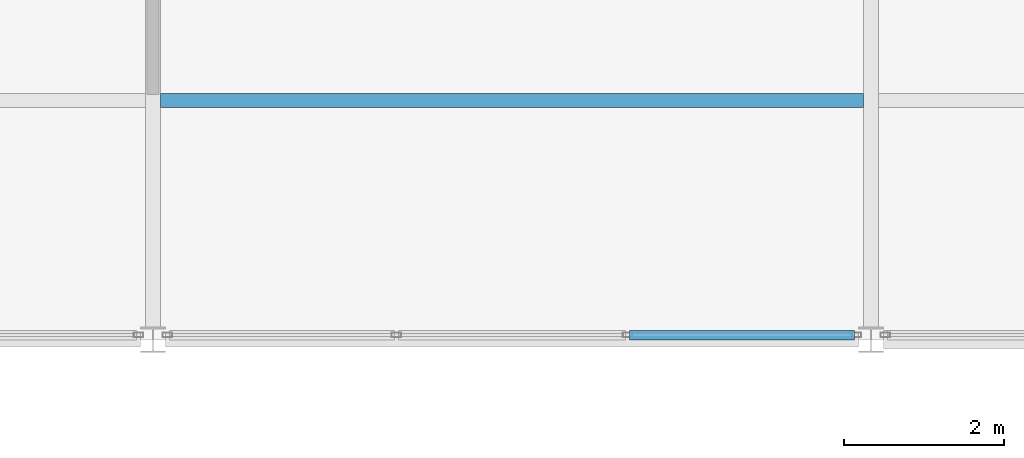
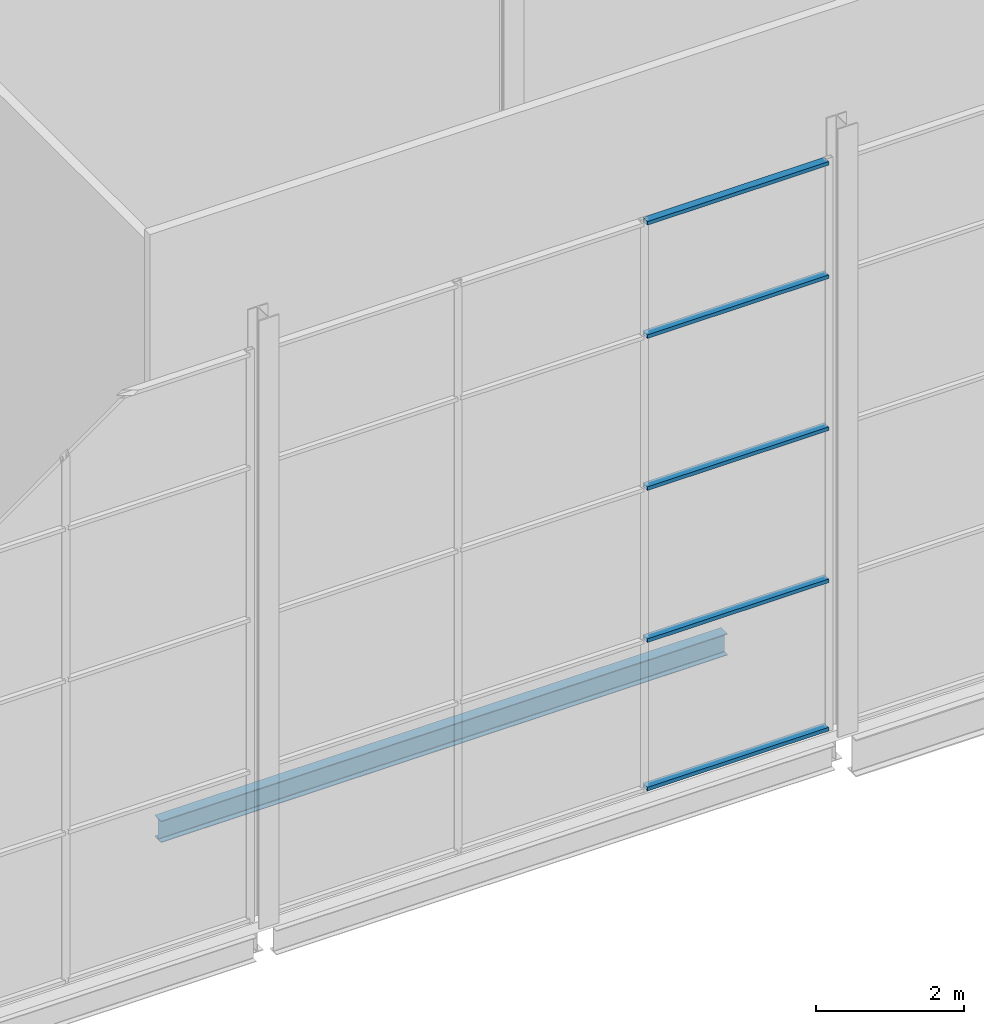
# One storey, part 45 of 111: 5 members, 1 beam, 1 element without a shape of its own.
"""IFC4 building model written with IfcOpenShell, lengths in metres."""

from ifc_helpers import new_model, si_unit, direction, frame, origin, origin_2d, place, context, subcontext, project, spatial, hollow_rectangle, i_section, extrude, material, layer, layer_set, material_profile, profile_set, type_object, element, aggregate, save


model = new_model("IFC4")

# Units and contexts
model_context = context("Model", 3, precision=1e-05, world=origin(), true_north=direction((0.0, 1.0)))
body_context = subcontext(model_context, "Body", "Model", "MODEL_VIEW")
ifc_project = project(units=[si_unit("LENGTHUNIT", "METRE"), si_unit("AREAUNIT", "SQUARE_METRE"), si_unit("VOLUMEUNIT", "CUBIC_METRE"), si_unit("PLANEANGLEUNIT", "RADIAN"), si_unit("MASSUNIT", "GRAM", prefix="KILO")], contexts=[model_context])

# Site, building, storey
site_placement = place(None, origin())
site = spatial("IfcSite", under=ifc_project, at=site_placement, CompositionType="ELEMENT")
building_placement = place(site_placement, origin())
building = spatial("IfcBuilding", under=site, at=building_placement, Name="Shorebreak Coast Museum", CompositionType="ELEMENT")
storey_placement = place(building_placement, frame((0.0, 0.0, 16.0)))
storey = spatial("IfcBuildingStorey", under=building, at=storey_placement, Name="L03", CompositionType="ELEMENT", Elevation=16.0)

# Beam
ifc_material_1 = material(Name="Steel Grade 300", Category="steel")
ifc_material_profile_1 = material_profile(ifc_material_1, i_section(OverallWidth=0.1708984375, OverallDepth=0.355712890625, WebThickness=0.00732421875, FlangeThickness=0.011474609375, FilletRadius=0.011474609375, at=origin_2d()), Name="360UB50.7")
ifc_profile_set_1 = profile_set([ifc_material_profile_1], Name="Steel Grade 300")
beam_type = type_object("IfcBeamType", Name="Floor joist 360UB50.7", PredefinedType="JOIST", material=ifc_profile_set_1)
beam_placement = place(storey_placement, frame((72.094970703125, 84.0, -0.352783203125), z_axis=(1.0, 0.0, 0.0), x_axis=(0.0, 1.0, 0.0)))
element("IfcBeam", 1, at=beam_placement, inside=storey, type_object=beam_type, Name="Floor joist L03 bay 9K at 3000 mm", PredefinedType="JOIST", context=body_context, shape_type="SweptSolid", body=[
    extrude(i_section(OverallWidth=0.1708984375, OverallDepth=0.355712890625, WebThickness=0.00732421875, FlangeThickness=0.011474609375, FilletRadius=0.011474609375, at=origin_2d()), origin(), (0.0, 0.0, 1.0), 8.81005859375),
])

# Curtain wall, members
ifc_material_2 = material(Name="Aluminium", Category="aluminium")
ifc_layer = layer(ifc_material_2, 0.1201171875)
ifc_layer_set = layer_set([ifc_layer], Name="Aluminium")
curtain_wall_type = type_object("IfcCurtainWallType", Name="Atrium fire screen", PredefinedType="NOTDEFINED", material=ifc_layer_set)
curtain_wall_placement = place(storey_placement, origin())
curtain_wall = element("IfcCurtainWall", 2, at=curtain_wall_placement, inside=storey, type_object=curtain_wall_type, Name="Atrium screen L03 N 40", PredefinedType="NOTDEFINED")
ifc_material_3 = material(Name="Aluminium", Category="aluminium")
ifc_material_profile_2 = material_profile(ifc_material_3, hollow_rectangle(XDim=0.1201171875, YDim=0.06005859375, WallThickness=0.00341796875, at=origin_2d()), Name="AL 60x120 RHS")
ifc_profile_set_2 = profile_set([ifc_material_profile_2], Name="Aluminium")
member_type = type_object("IfcMemberType", Name="Screen transom 120 x 50", PredefinedType="USERDEFINED", material=ifc_profile_set_2)
member_1_placement = place(storey_placement, frame((77.973388671875, 81.06005859375, 0.06005859375), z_axis=(1.0, 0.0, 0.0), x_axis=(0.0, 1.0, 0.0)))
member_1 = element("IfcMember", 3, at=member_1_placement, type_object=member_type, Name="CW5 transom 3.1", ObjectType="TRANSOM", PredefinedType="USERDEFINED", context=body_context, shape_type="SweptSolid", body=[
    extrude(hollow_rectangle(XDim=0.1201171875, YDim=0.06005859375, WallThickness=0.00341796875, at=origin_2d()), origin(), (0.0, 0.0, 1.0), 2.822021484375),
])
member_2_placement = place(storey_placement, frame((77.973388671875, 81.06005859375, 2.5), z_axis=(1.0, 0.0, 0.0), x_axis=(0.0, 1.0, 0.0)))
member_2 = element("IfcMember", 4, at=member_2_placement, type_object=member_type, Name="CW5 transom 3.2", ObjectType="TRANSOM", PredefinedType="USERDEFINED", context=body_context, shape_type="SweptSolid", body=[
    extrude(hollow_rectangle(XDim=0.1201171875, YDim=0.06005859375, WallThickness=0.00341796875, at=origin_2d()), origin(), (0.0, 0.0, 1.0), 2.822021484375),
])
member_3_placement = place(storey_placement, frame((77.973388671875, 81.06005859375, 5.0), z_axis=(1.0, 0.0, 0.0), x_axis=(0.0, 1.0, 0.0)))
member_3 = element("IfcMember", 5, at=member_3_placement, type_object=member_type, Name="CW5 transom 3.3", ObjectType="TRANSOM", PredefinedType="USERDEFINED", context=body_context, shape_type="SweptSolid", body=[
    extrude(hollow_rectangle(XDim=0.1201171875, YDim=0.06005859375, WallThickness=0.00341796875, at=origin_2d()), origin(), (0.0, 0.0, 1.0), 2.822021484375),
])
member_4_placement = place(storey_placement, frame((77.973388671875, 81.06005859375, 7.5), z_axis=(1.0, 0.0, 0.0), x_axis=(0.0, 1.0, 0.0)))
member_4 = element("IfcMember", 6, at=member_4_placement, type_object=member_type, Name="CW5 transom 3.4", ObjectType="TRANSOM", PredefinedType="USERDEFINED", context=body_context, shape_type="SweptSolid", body=[
    extrude(hollow_rectangle(XDim=0.1201171875, YDim=0.06005859375, WallThickness=0.00341796875, at=origin_2d()), origin(), (0.0, 0.0, 1.0), 2.822021484375),
])
member_5_placement = place(storey_placement, frame((77.973388671875, 81.06005859375, 9.3623046875), z_axis=(1.0, 0.0, 0.0), x_axis=(0.0, 1.0, 0.0)))
member_5 = element("IfcMember", 7, at=member_5_placement, type_object=member_type, Name="CW5 transom 3.5", ObjectType="TRANSOM", PredefinedType="USERDEFINED", context=body_context, shape_type="SweptSolid", body=[
    extrude(hollow_rectangle(XDim=0.1201171875, YDim=0.06005859375, WallThickness=0.00341796875, at=origin_2d()), origin(), (0.0, 0.0, 1.0), 2.822021484375),
])
aggregate(curtain_wall, [member_1, member_2, member_3, member_4, member_5])

save(model, "model.ifc")
